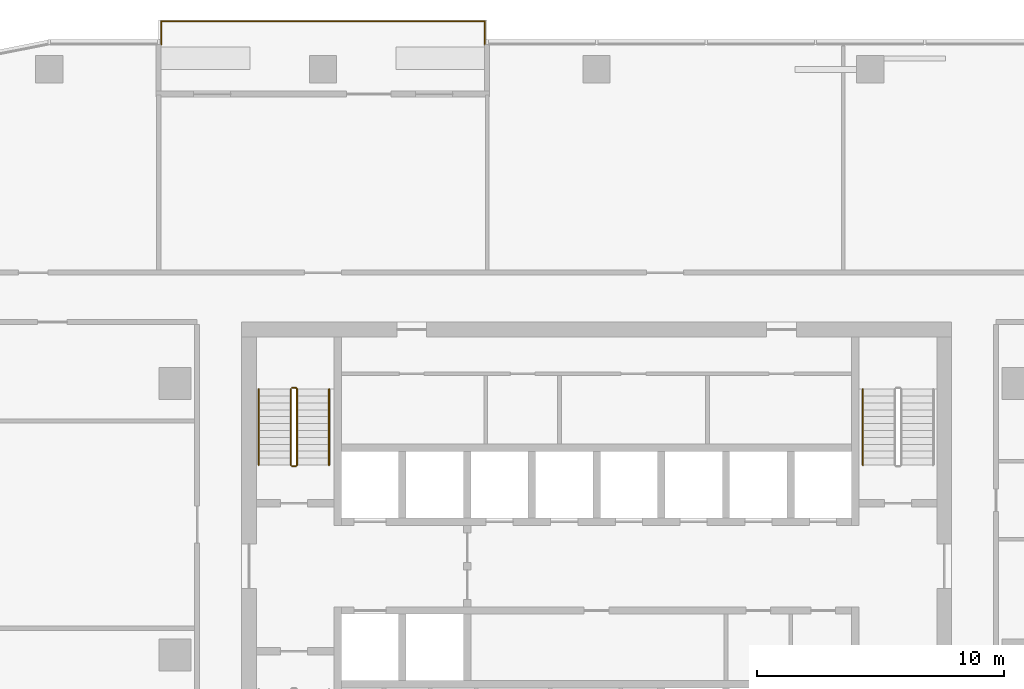
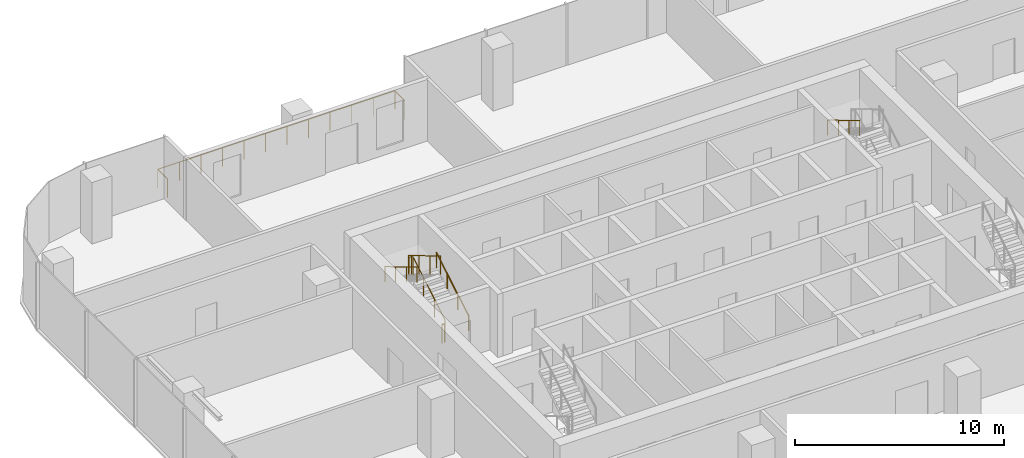
# One storey, part 13 of 14: 7 railings.
"""IFC4 building model written with IfcOpenShell, lengths in metres."""

from ifc_helpers import new_model, si_unit, direction, frame, origin, origin_2d, place, context, subcontext, project, spatial, circle, extrude, material, type_object, element, save


model = new_model("IFC4")

# Units and contexts
model_context = context("Model", 3, precision=1e-05, world=origin(), true_north=direction((0.0, 1.0)))
body_context = subcontext(model_context, "Body", "Model", "MODEL_VIEW")
ifc_project = project(units=[si_unit("LENGTHUNIT", "METRE"), si_unit("AREAUNIT", "SQUARE_METRE"), si_unit("VOLUMEUNIT", "CUBIC_METRE"), si_unit("PLANEANGLEUNIT", "RADIAN"), si_unit("MASSUNIT", "GRAM", prefix="KILO")], contexts=[model_context])

# Site, building, storey
site_placement = place(None, origin())
site = spatial("IfcSite", under=ifc_project, at=site_placement, CompositionType="ELEMENT")
building_placement = place(site_placement, origin())
building = spatial("IfcBuilding", under=site, at=building_placement, Name="Mopane Tessera Tower", CompositionType="ELEMENT")
storey_placement = place(building_placement, frame((0.0, 0.0, 231.0)))
storey = spatial("IfcBuildingStorey", under=building, at=storey_placement, Name="L49", CompositionType="ELEMENT", Elevation=231.0)

# Railings
ifc_material_1 = material(Name="Powder-coated steel balustrade", Category="steel")
railing_type_1 = type_object("IfcRailingType", Name="Escape stair guard 1100 mm", PredefinedType="GUARDRAIL", material=ifc_material_1)
railing_1_placement = place(storey_placement, frame((-12.14990234375, 7.699951171875, 0.166748046875)))
element("IfcRailing", 1, at=railing_1_placement, inside=storey, type_object=railing_type_1, Name="L49 ST2 stair guard 1", PredefinedType="GUARDRAIL", context=body_context, shape_type="SweptSolid", body=[
    extrude(circle(Radius=0.02392578125, at=origin_2d()), frame((0.0, 0.0, 1.076171875), z_axis=(0.0, 0.859308565015, 0.511457515432), x_axis=(-1.0, 0.0, 0.0)), (0.0, 0.0, 1.0), 3.58447265625),
    extrude(circle(Radius=0.02392578125, at=origin_2d()), frame((0.0, 3.080078125, 2.9091796875), z_axis=(-0.707106781187, 0.707106781187, 0.0), x_axis=(-0.707106781187, -0.707106781187, 0.0)), (0.0, 0.0, 1.0), 0.07080078125),
    extrude(circle(Radius=0.02392578125, at=origin_2d()), frame((-0.050048828125, 3.130126953125, 2.9091796875), z_axis=(-1.0, 0.0, 0.0), x_axis=(0.0, -1.0, 0.0)), (0.0, 0.0, 1.0), 0.150146484375),
    extrude(circle(Radius=0.02099609375, at=origin_2d()), origin(), (0.0, 0.0, 1.0), 1.052001953125),
    extrude(circle(Radius=0.02099609375, at=origin_2d()), frame((0.0, 1.026611328125, 0.611083984375)), (0.0, 0.0, 1.0), 1.052001953125),
    extrude(circle(Radius=0.02099609375, at=origin_2d()), frame((0.0, 2.053466796875, 1.22216796875)), (0.0, 0.0, 1.0), 1.052001953125),
    extrude(circle(Radius=0.02099609375, at=origin_2d()), frame((0.0, 3.080078125, 1.833251953125)), (0.0, 0.0, 1.0), 1.052001953125),
    extrude(circle(Radius=0.02099609375, at=origin_2d()), frame((-0.050048828125, 3.130126953125, 1.833251953125)), (0.0, 0.0, 1.0), 1.052001953125),
    extrude(circle(Radius=0.02099609375, at=origin_2d()), frame((-0.2001953125, 3.130126953125, 1.833251953125)), (0.0, 0.0, 1.0), 1.052001953125),
])
railing_2_placement = place(storey_placement, frame((-12.39990234375, 10.780029296875, 2.166748046875)))
element("IfcRailing", 2, at=railing_2_placement, inside=storey, type_object=railing_type_1, Name="L49 ST2 stair guard 2", PredefinedType="GUARDRAIL", context=body_context, shape_type="SweptSolid", body=[
    extrude(circle(Radius=0.02392578125, at=origin_2d()), frame((0.0, 0.0, 1.076171875), z_axis=(0.0, -0.859308565015, 0.511457515432), x_axis=(1.0, 0.0, 0.0)), (0.0, 0.0, 1.0), 3.58447265625),
    extrude(circle(Radius=0.02099609375, at=origin_2d()), origin(), (0.0, 0.0, 1.0), 1.052001953125),
    extrude(circle(Radius=0.02099609375, at=origin_2d()), frame((0.0, -1.026611328125, 0.611083984375)), (0.0, 0.0, 1.0), 1.052001953125),
    extrude(circle(Radius=0.02099609375, at=origin_2d()), frame((0.0, -2.053466796875, 1.22216796875)), (0.0, 0.0, 1.0), 1.052001953125),
    extrude(circle(Radius=0.02099609375, at=origin_2d()), frame((0.0, -3.080078125, 1.833251953125)), (0.0, 0.0, 1.0), 1.052001953125),
])
railing_3_placement = place(storey_placement, frame((-12.199951171875, 7.64990234375, 0.0)))
element("IfcRailing", 3, at=railing_3_placement, inside=storey, type_object=railing_type_1, Name="L49 ST2 stair guard 3", PredefinedType="GUARDRAIL", context=body_context, shape_type="SweptSolid", body=[
    extrude(circle(Radius=0.02392578125, at=origin_2d()), frame((0.0, 0.0, 1.076171875), z_axis=(-1.0, 0.0, 0.0), x_axis=(0.0, -1.0, 0.0)), (0.0, 0.0, 1.0), 0.150146484375),
    extrude(circle(Radius=0.02099609375, at=origin_2d()), origin(), (0.0, 0.0, 1.0), 1.052001953125),
    extrude(circle(Radius=0.02099609375, at=origin_2d()), frame((-0.150146484375, 0.0, 0.0)), (0.0, 0.0, 1.0), 1.052001953125),
])
ifc_material_2 = material(Name="Powder-coated steel balustrade", Category="steel")
railing_type_2 = type_object("IfcRailingType", Name="Escape stair handrail 900 mm", PredefinedType="HANDRAIL", material=ifc_material_2)
railing_4_placement = place(storey_placement, frame((-10.85009765625, 7.699951171875, 0.166748046875)))
element("IfcRailing", 4, at=railing_4_placement, inside=storey, type_object=railing_type_2, Name="L49 ST2 stair handrail 1", PredefinedType="HANDRAIL", context=body_context, shape_type="SweptSolid", body=[
    extrude(circle(Radius=0.02392578125, at=origin_2d()), frame((0.0, 0.0, 0.8759765625), z_axis=(0.0, 0.859308565015, 0.511457515432), x_axis=(-1.0, 0.0, 0.0)), (0.0, 0.0, 1.0), 3.58447265625),
    extrude(circle(Radius=0.02099609375, at=origin_2d()), origin(), (0.0, 0.0, 1.0), 0.851806640625),
    extrude(circle(Radius=0.02099609375, at=origin_2d()), frame((0.0, 1.026611328125, 0.611083984375)), (0.0, 0.0, 1.0), 0.851806640625),
    extrude(circle(Radius=0.02099609375, at=origin_2d()), frame((0.0, 2.053466796875, 1.22216796875)), (0.0, 0.0, 1.0), 0.851806640625),
    extrude(circle(Radius=0.02099609375, at=origin_2d()), frame((0.0, 3.080078125, 1.833251953125)), (0.0, 0.0, 1.0), 0.851806640625),
])
for number, where, name in (
    (5, (-13.699951171875, 10.780029296875, 2.166748046875), "L49 ST2 stair handrail 2"),
    (6, (10.800048828125, 10.780029296875, 2.166748046875), "L49 ST4 stair handrail 2"),
):
    element("IfcRailing", number, at=place(storey_placement, frame(where)), inside=storey, type_object=railing_type_2, Name=name, PredefinedType="HANDRAIL", context=body_context, shape_type="SweptSolid", body=[
        extrude(circle(Radius=0.02392578125, at=origin_2d()), frame((0.0, 0.0, 0.8759765625), z_axis=(0.0, -0.859308565015, 0.511457515432), x_axis=(1.0, 0.0, 0.0)), (0.0, 0.0, 1.0), 3.58447265625),
        extrude(circle(Radius=0.02099609375, at=origin_2d()), origin(), (0.0, 0.0, 1.0), 0.851806640625),
        extrude(circle(Radius=0.02099609375, at=origin_2d()), frame((0.0, -1.026611328125, 0.611083984375)), (0.0, 0.0, 1.0), 0.851806640625),
        extrude(circle(Radius=0.02099609375, at=origin_2d()), frame((0.0, -2.053466796875, 1.22216796875)), (0.0, 0.0, 1.0), 0.851806640625),
        extrude(circle(Radius=0.02099609375, at=origin_2d()), frame((0.0, -3.080078125, 1.833251953125)), (0.0, 0.0, 1.0), 0.851806640625),
    ])
ifc_material_3 = material(Name="Stainless steel S316", Category="steel")
railing_type_3 = type_object("IfcRailingType", Name="Terrace guard 1100", PredefinedType="GUARDRAIL", material=ifc_material_3)
railing_5_placement = place(storey_placement, frame((-4.5400390625, 24.75, 0.0)))
element("IfcRailing", 7, at=railing_5_placement, inside=storey, type_object=railing_type_3, Name="e:nw:L49:N3:guard", PredefinedType="GUARDRAIL", context=body_context, shape_type="SweptSolid", body=[
    extrude(circle(Radius=0.02392578125, at=origin_2d()), frame((0.0, 0.0, 1.076171875), z_axis=(0.0, 1.0, 0.0), x_axis=(-1.0, 0.0, 0.0)), (0.0, 0.0, 1.0), 0.949951171875),
    extrude(circle(Radius=0.02392578125, at=origin_2d()), frame((0.0, 0.949951171875, 1.076171875), z_axis=(-1.0, 0.0, 0.0), x_axis=(0.0, -1.0, 0.0)), (0.0, 0.0, 1.0), 13.119873046875),
    extrude(circle(Radius=0.02392578125, at=origin_2d()), frame((-13.119873046875, 0.949951171875, 1.076171875), z_axis=(0.0, -1.0, 0.0), x_axis=(1.0, 0.0, 0.0)), (0.0, 0.0, 1.0), 0.949951171875),
    extrude(circle(Radius=0.02099609375, at=origin_2d()), origin(), (0.0, 0.0, 1.0), 1.052001953125),
    extrude(circle(Radius=0.02099609375, at=origin_2d()), frame((0.0, 0.949951171875, 0.0)), (0.0, 0.0, 1.0), 1.052001953125),
    extrude(circle(Radius=0.02099609375, at=origin_2d()), frame((-1.192626953125, 0.949951171875, 0.0)), (0.0, 0.0, 1.0), 1.052001953125),
    extrude(circle(Radius=0.02099609375, at=origin_2d()), frame((-2.385498046875, 0.949951171875, 0.0)), (0.0, 0.0, 1.0), 1.052001953125),
    extrude(circle(Radius=0.02099609375, at=origin_2d()), frame((-3.578125, 0.949951171875, 0.0)), (0.0, 0.0, 1.0), 1.052001953125),
    extrude(circle(Radius=0.02099609375, at=origin_2d()), frame((-4.770751953125, 0.949951171875, 0.0)), (0.0, 0.0, 1.0), 1.052001953125),
    extrude(circle(Radius=0.02099609375, at=origin_2d()), frame((-5.963623046875, 0.949951171875, 0.0)), (0.0, 0.0, 1.0), 1.052001953125),
    extrude(circle(Radius=0.02099609375, at=origin_2d()), frame((-7.15625, 0.949951171875, 0.0)), (0.0, 0.0, 1.0), 1.052001953125),
    extrude(circle(Radius=0.02099609375, at=origin_2d()), frame((-8.34912109375, 0.949951171875, 0.0)), (0.0, 0.0, 1.0), 1.052001953125),
    extrude(circle(Radius=0.02099609375, at=origin_2d()), frame((-9.541748046875, 0.949951171875, 0.0)), (0.0, 0.0, 1.0), 1.052001953125),
    extrude(circle(Radius=0.02099609375, at=origin_2d()), frame((-10.734375, 0.949951171875, 0.0)), (0.0, 0.0, 1.0), 1.052001953125),
    extrude(circle(Radius=0.02099609375, at=origin_2d()), frame((-11.92724609375, 0.949951171875, 0.0)), (0.0, 0.0, 1.0), 1.052001953125),
    extrude(circle(Radius=0.02099609375, at=origin_2d()), frame((-13.119873046875, 0.949951171875, 0.0)), (0.0, 0.0, 1.0), 1.052001953125),
    extrude(circle(Radius=0.02099609375, at=origin_2d()), frame((-13.119873046875, 0.0, 0.0)), (0.0, 0.0, 1.0), 1.052001953125),
])

save(model, "model.ifc")
